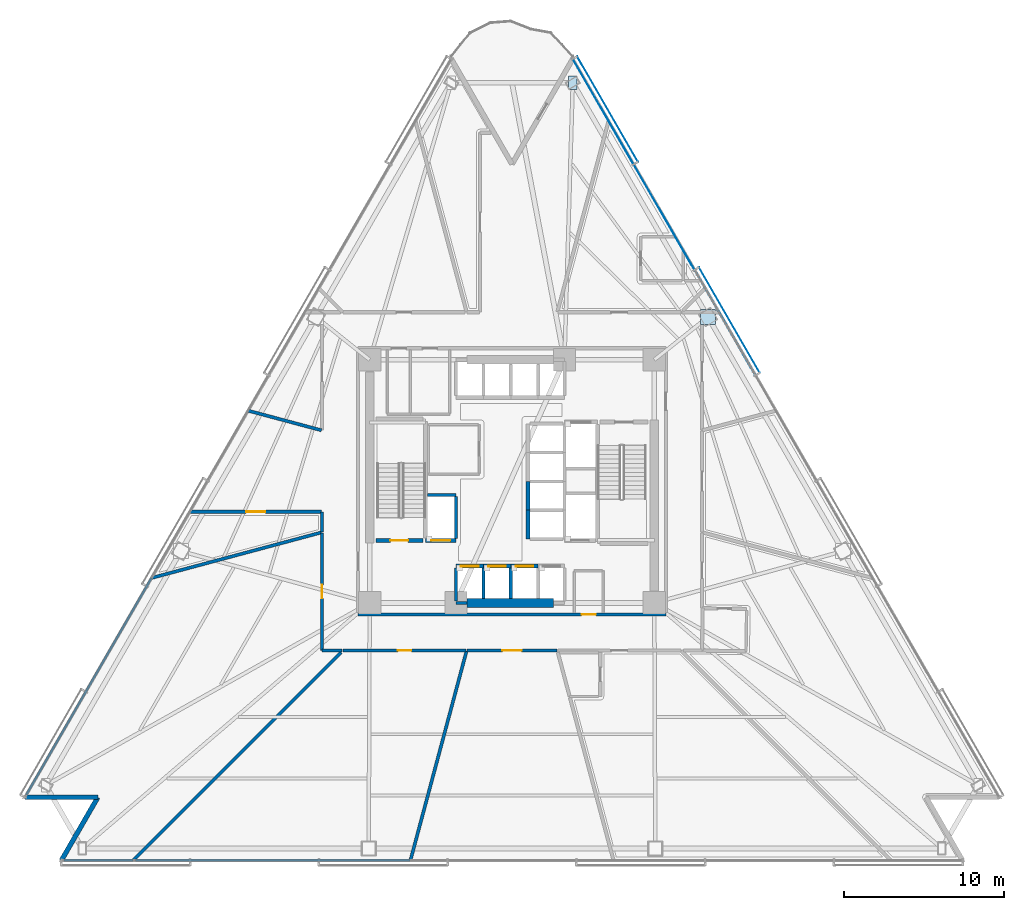
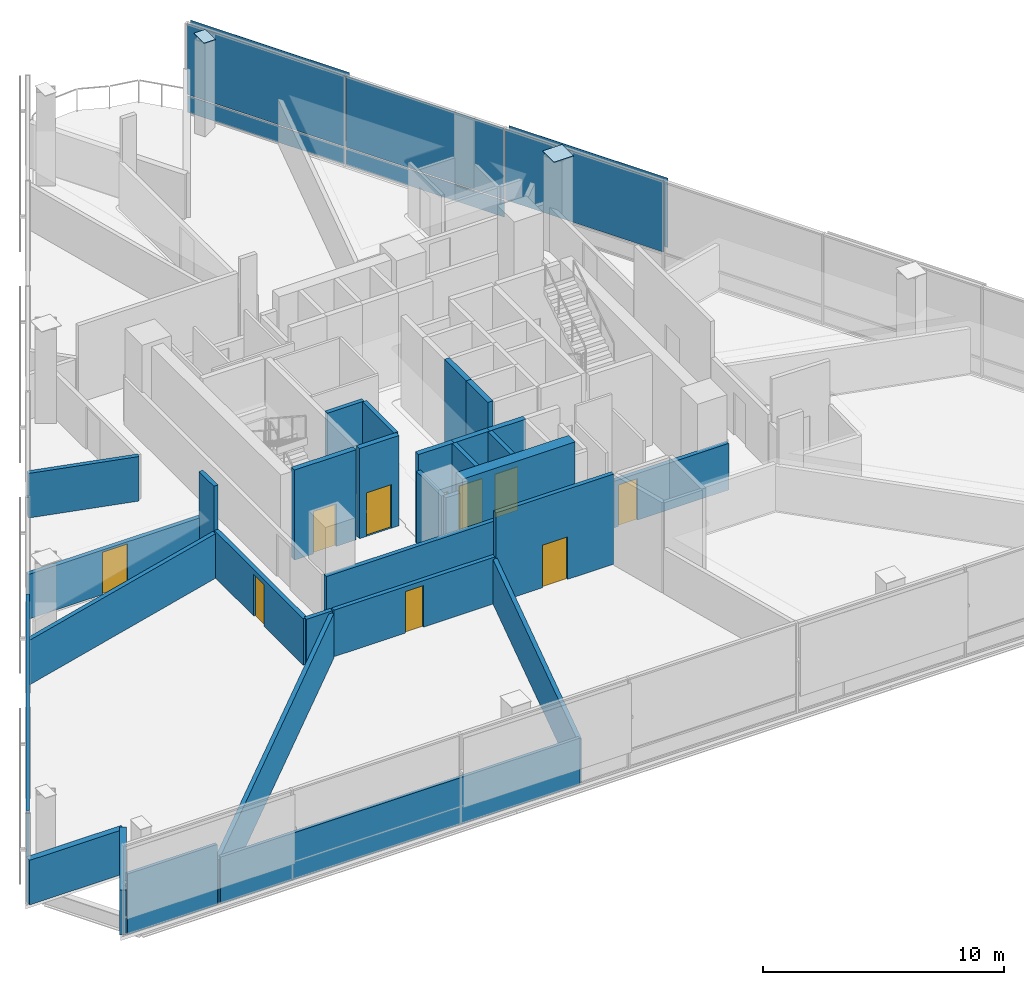
# One storey, part 7 of 17: 30 walls, 10 doors, 9 plates, 10 openings, 1 element without a shape of its own.
"""IFC4 building model written with IfcOpenShell, lengths in metres."""

import ifcopenshell
import ifcopenshell.guid

model = None  # the IFC model being written
_history = None  # IfcOwnerHistory: only IFC2X3 demands one
_inside = {}  # id of a spatial element -> (the spatial element, [elements in it])
_under = {}  # id of a project, library or spatial element -> (it, [spatial elements below it])
_declared = {}  # id of a project -> (the project, [libraries it declares])
_typed = {}  # id of a type object -> (the type object, [elements of that type])
_made_of = {}  # id of a material, layer set ... -> (it, [elements and type objects made of it])


def new_model(schema):
    """Start an empty IFC model of exactly this schema.

    Asked for "IFC4X3", IfcOpenShell would pick the latest addendum, in which some entities
    have other attributes; the version numbers below select the first issue.
    IFC2X3 requires an IfcOwnerHistory on every rooted entity: one is made here for all.
    """
    global model, _history
    if schema == "IFC4X3":
        model = ifcopenshell.file(schema_version=(4, 3, 0, 0))
    else:
        model = ifcopenshell.file(schema=schema)
    _inside.clear()
    _under.clear()
    _declared.clear()
    _typed.clear()
    _made_of.clear()
    _history = None
    if model.schema == "IFC2X3":
        org = make("IfcOrganization", Name="unknown")
        user = make(
            "IfcPersonAndOrganization",
            ThePerson=make("IfcPerson", FamilyName="unknown"),
            TheOrganization=org,
        )
        app = make(
            "IfcApplication",
            ApplicationDeveloper=org,
            Version="unknown",
            ApplicationFullName="unknown",
            ApplicationIdentifier="unknown",
        )
        _history = make(
            "IfcOwnerHistory",
            OwningUser=user,
            OwningApplication=app,
            ChangeAction="ADDED",
            CreationDate=0,
        )
    return model


def make(cls, **values):
    """One entity of the class cls with the attributes given. An attribute that is None is left unset."""
    return model.create_entity(
        cls, **{name: value for name, value in values.items() if value is not None}
    )


def rooted(cls, **values):
    """An entity with a GlobalId (a new one), such as an element, a storey or a relation."""
    return make(cls, GlobalId=ifcopenshell.guid.new(), OwnerHistory=_history, **values)


def si_unit(unit_type, name, prefix=None):
    """IfcSIUnit, for example si_unit("LENGTHUNIT", "METRE", prefix="MILLI")."""
    return make("IfcSIUnit", UnitType=unit_type, Prefix=prefix, Name=name)


def assignment(units):
    """IfcUnitAssignment: the units of a project."""
    return None if units is None else make("IfcUnitAssignment", Units=units)


def point(xyz):
    """IfcCartesianPoint."""
    return None if xyz is None else make("IfcCartesianPoint", Coordinates=xyz)


def direction(xyz):
    """IfcDirection."""
    return None if xyz is None else make("IfcDirection", DirectionRatios=xyz)


def frame(location, z_axis=None, x_axis=None):
    """IfcAxis2Placement3D, a coordinate frame: its origin and axes. An axis left out is left unset."""
    return make(
        "IfcAxis2Placement3D",
        Location=point(location),
        Axis=direction(z_axis),
        RefDirection=direction(x_axis),
    )


def frame_2d(location, x_axis=None):
    """IfcAxis2Placement2D, a coordinate frame in the plane: its origin and x axis."""
    return make(
        "IfcAxis2Placement2D", Location=point(location), RefDirection=direction(x_axis)
    )


def origin():
    """The frame at (0, 0, 0) with its axes left unset."""
    return frame((0.0, 0.0, 0.0))


def origin_2d():
    """The frame at (0, 0) in the plane with its x axis left unset."""
    return frame_2d((0.0, 0.0))


def place(relative_to, where):
    """IfcLocalPlacement: puts the frame where relative to a parent placement (None: the world)."""
    return make(
        "IfcLocalPlacement", PlacementRelTo=relative_to, RelativePlacement=where
    )


def context(
    kind, dimensions, precision=None, world=None, true_north=None, identifier=None
):
    """IfcGeometricRepresentationContext, for example the 3D "Model" context."""
    return make(
        "IfcGeometricRepresentationContext",
        ContextIdentifier=identifier,
        ContextType=kind,
        CoordinateSpaceDimension=dimensions,
        Precision=precision,
        WorldCoordinateSystem=world,
        TrueNorth=true_north,
    )


def subcontext(parent, identifier, kind, view, scale=None):
    """IfcGeometricRepresentationSubContext, for example "Body" below "Model"."""
    return make(
        "IfcGeometricRepresentationSubContext",
        ContextIdentifier=identifier,
        ContextType=kind,
        ParentContext=parent,
        TargetScale=scale,
        TargetView=view,
    )


def project(units=None, contexts=None):
    """IfcProject with its units and contexts."""
    return rooted(
        "IfcProject",
        Name="project",
        RepresentationContexts=contexts,
        UnitsInContext=assignment(units),
    )


def spatial(cls, under=None, at=None, **own):
    """A site, building, storey or space (cls), placed at a placement, below another one or the project."""
    s = rooted(cls, ObjectPlacement=at, **own)
    if under is not None:
        _under.setdefault(under.id(), (under, []))[1].append(s)
    return s


def profile(cls, at=None, kind="AREA", **sizes):
    """A parametric profile (cls). Its sizes go by their IFC names, for example OverallWidth=200.0."""
    return make(cls, ProfileType=kind, Position=at, **sizes)


def rectangle(**sizes):
    """IfcRectangleProfileDef."""
    return profile("IfcRectangleProfileDef", **sizes)


def extrude(swept, where, along, depth):
    """IfcExtrudedAreaSolid: the profile swept, set in the frame where, extruded along a direction by depth."""
    return make(
        "IfcExtrudedAreaSolid",
        SweptArea=swept,
        Position=where,
        ExtrudedDirection=direction(along),
        Depth=depth,
    )


def shape(context_of_items, identifier, shape_type, items):
    """IfcShapeRepresentation: the items that make up one representation, for example the "Body"."""
    return make(
        "IfcShapeRepresentation",
        ContextOfItems=context_of_items,
        RepresentationIdentifier=identifier,
        RepresentationType=shape_type,
        Items=items,
    )


def material(Name=None, Category=None):
    """IfcMaterial."""
    return make("IfcMaterial", Name=Name, Category=Category)


def layer(
    of_material, thickness, ventilated=None, Name=None, Category=None, Priority=None
):
    """IfcMaterialLayer: one layer of a wall or slab, of a material (None: an air gap)."""
    return make(
        "IfcMaterialLayer",
        Material=of_material,
        LayerThickness=thickness,
        IsVentilated=ventilated,
        Name=Name,
        Category=Category,
        Priority=Priority,
    )


def layer_set(layers, Name=None):
    """IfcMaterialLayerSet."""
    return make("IfcMaterialLayerSet", MaterialLayers=layers, LayerSetName=Name)


def made_of(thing, what):
    """Note that an element or type object is made of a material, layer set ...; save() writes the relation."""
    if what is not None:
        _made_of.setdefault(what.id(), (what, []))[1].append(thing)
    return thing


def type_object(cls, material=None, **own):
    """A type object (cls), such as IfcWallType, which elements share."""
    return made_of(rooted(cls, **own), material)


def element(
    cls,
    number,
    at=None,
    inside=None,
    cuts=None,
    type_object=None,
    material=None,
    context=None,
    identifier="Body",
    shape_type=None,
    held_by="IfcProductDefinitionShape",
    body=None,
    shapes=None,
    **own,
):
    """One element of the class cls, such as IfcWall. Its Tag is "e" and its number.

    at: its placement. inside: the storey or other place that contains it. cuts: it is an
    opening in that element (IfcRelVoidsElement). A single representation is given by context,
    identifier, shape_type and body (its items); several are given by shapes. held_by: the class
    of the entity that holds the representations. save() writes the other relations.
    """
    e = rooted(cls, Tag="e%d" % number, ObjectPlacement=at, **own)
    if body is not None:
        shapes = [shape(context, identifier, shape_type, body)]
    if shapes is not None:
        e.Representation = make(held_by, Representations=shapes)
    if inside is not None:
        _inside.setdefault(inside.id(), (inside, []))[1].append(e)
    if cuts is not None:
        rooted(
            "IfcRelVoidsElement", RelatingBuildingElement=cuts, RelatedOpeningElement=e
        )
    if type_object is not None:
        _typed.setdefault(type_object.id(), (type_object, []))[1].append(e)
    return made_of(e, material)


def fill(opening, filler):
    """IfcRelFillsElement: the door or window that sits in an opening."""
    return rooted(
        "IfcRelFillsElement",
        RelatingOpeningElement=opening,
        RelatedBuildingElement=filler,
    )


def aggregate(whole, parts):
    """IfcRelAggregates: a whole, such as a stair, and the parts it consists of."""
    return rooted("IfcRelAggregates", RelatingObject=whole, RelatedObjects=parts)


def save(model, path):
    """Write the relations noted so far, then the file.

    IfcRelAggregates (storeys below a building ...), IfcRelContainedInSpatialStructure (elements
    in a storey), IfcRelDefinesByType, IfcRelAssociatesMaterial and IfcRelDeclares: one each for
    every whole, place, type object, material and project.
    """
    for whole, parts in _under.values():
        aggregate(whole, parts)
    for where, things in _inside.values():
        rooted(
            "IfcRelContainedInSpatialStructure",
            RelatedElements=things,
            RelatingStructure=where,
        )
    for kind, things in _typed.values():
        rooted("IfcRelDefinesByType", RelatedObjects=things, RelatingType=kind)
    for what, things in _made_of.values():
        rooted("IfcRelAssociatesMaterial", RelatedObjects=things, RelatingMaterial=what)
    for by, libraries in _declared.values():
        rooted("IfcRelDeclares", RelatingContext=by, RelatedDefinitions=libraries)
    model.write(path)


model = new_model("IFC4")

# Units and contexts
model_context = context("Model", 3, precision=1e-05, world=origin(), true_north=direction((0.0, 1.0)))
body_context = subcontext(model_context, "Body", "Model", "MODEL_VIEW")
ifc_project = project(units=[si_unit("LENGTHUNIT", "METRE"), si_unit("AREAUNIT", "SQUARE_METRE"), si_unit("VOLUMEUNIT", "CUBIC_METRE"), si_unit("PLANEANGLEUNIT", "RADIAN"), si_unit("MASSUNIT", "GRAM", prefix="KILO")], contexts=[model_context])

# Site, building, storey
site_placement = place(None, origin())
site = spatial("IfcSite", under=ifc_project, at=site_placement, CompositionType="ELEMENT")
building_placement = place(site_placement, origin())
building = spatial("IfcBuilding", under=site, at=building_placement, Name="Tharavind Bronze Gate", CompositionType="ELEMENT")
storey_placement = place(building_placement, frame((0.0, 0.0, 52.25)))
storey = spatial("IfcBuildingStorey", under=building, at=storey_placement, Name="L12", CompositionType="ELEMENT", Elevation=52.25)

# Plates
ifc_material_1 = material(Name="Perforated Bronze Alloy", Category="bronze")
ifc_layer_1 = layer(ifc_material_1, 0.011962890625)
ifc_layer_set_1 = layer_set([ifc_layer_1], Name="Perforated Bronze Alloy")
plate_type_1 = type_object("IfcPlateType", Name="BRONZE PERFORATED SOLAR SCREEN", PredefinedType="USERDEFINED", material=ifc_layer_set_1)
for number, where, z_axis, x_axis, name in (
    (1, (13.5927734375, 10.086669921875, 0.97412109375), (0.0, 0.0, 1.0), (-0.500001511499, 0.866024531118, 0.0), "CW-L12-S3 perforated bronze solar screen 5"),
    (2, (5.976806640625, 23.27783203125, 0.97412109375), (0.0, 0.0, 1.0), (-0.500001511499, 0.866024531118, 0.0), "CW-L12-S3 perforated bronze solar screen 7"),
):
    element("IfcPlate", number, at=place(storey_placement, frame(where, z_axis=z_axis, x_axis=x_axis)), inside=storey, type_object=plate_type_1, Name=name, ObjectType="SCREEN", PredefinedType="USERDEFINED", context=body_context, shape_type="SweptSolid", body=[
        extrude(rectangle(XDim=7.595947265625, YDim=0.011962890625, at=origin_2d()), origin(), (0.0, 0.0, 1.0), 3.511962890625),
    ])

# Curtain wall, plates
ifc_material_2 = material(Name="Anodised Bronze Aluminium", Category="aluminium")
ifc_layer_2 = layer(ifc_material_2, 0.219970703125)
ifc_layer_set_2 = layer_set([ifc_layer_2], Name="Anodised Bronze Aluminium")
curtain_wall_type = type_object("IfcCurtainWallType", Name="UNITISED CURTAIN WALL HOTEL", PredefinedType="USERDEFINED", material=ifc_layer_set_2)
curtain_wall_placement = place(storey_placement, origin())
curtain_wall = element("IfcCurtainWall", 3, at=curtain_wall_placement, inside=storey, type_object=curtain_wall_type, Name="L12 unitised curtain wall hotel CW-L12-S3", ObjectType="UNITISED CURTAIN WALL", PredefinedType="USERDEFINED")
ifc_material_3 = material(Name="Patinated Bronze Alloy Sheet", Category="bronze")
ifc_layer_3 = layer(ifc_material_3, 0.01611328125)
ifc_layer_set_3 = layer_set([ifc_layer_3], Name="Patinated Bronze Alloy Sheet")
plate_type_2 = type_object("IfcPlateType", Name="BRONZE SPANDREL CLADDING PANEL 16", PredefinedType="CURTAIN_PANEL", material=ifc_layer_set_3)
plate_1_placement = place(storey_placement, frame((9.511962890625, 16.52490234375, 0.033935546875), z_axis=(0.0, 0.0, 1.0), x_axis=(-0.500001511499, 0.866024531118, 0.0)))
plate_1 = element("IfcPlate", 4, at=plate_1_placement, type_object=plate_type_2, Name="CW-L12-S3 bronze spandrel panel 6", PredefinedType="CURTAIN_PANEL", context=body_context, shape_type="SweptSolid", body=[
    extrude(rectangle(XDim=7.5478515625, YDim=0.01611328125, at=origin_2d()), origin(), (0.0, 0.0, 1.0), 0.83203125),
])
plate_2_placement = place(storey_placement, frame((5.7041015625, 23.120361328125, 0.033935546875), z_axis=(0.0, 0.0, 1.0), x_axis=(-0.500001511499, 0.866024531118, 0.0)))
plate_2 = element("IfcPlate", 5, at=plate_2_placement, type_object=plate_type_2, Name="CW-L12-S3 bronze spandrel panel 7", PredefinedType="CURTAIN_PANEL", context=body_context, shape_type="SweptSolid", body=[
    extrude(rectangle(XDim=7.5478515625, YDim=0.01611328125, at=origin_2d()), origin(), (0.0, 0.0, 1.0), 0.83203125),
])
ifc_material_4 = material(Name="Low-E Double Glazing", Category="glass")
ifc_layer_4 = layer(ifc_material_4, 0.031982421875)
ifc_layer_set_4 = layer_set([ifc_layer_4], Name="Low-E Double Glazing")
plate_type_3 = type_object("IfcPlateType", Name="DOUBLE GLAZED FACADE PANEL 32", PredefinedType="CURTAIN_PANEL", material=ifc_layer_set_4)
plate_3_placement = place(storey_placement, frame((13.31982421875, 9.92919921875, 0.93408203125), z_axis=(0.0, 0.0, 1.0), x_axis=(-0.500001511499, 0.866024531118, 0.0)))
plate_3 = element("IfcPlate", 6, at=plate_3_placement, type_object=plate_type_3, Name="CW-L12-S3 vision glazing panel 5", PredefinedType="CURTAIN_PANEL", context=body_context, shape_type="SweptSolid", body=[
    extrude(rectangle(XDim=7.5478515625, YDim=0.031982421875, at=origin_2d()), origin(), (0.0, 0.0, 1.0), 3.592041015625),
])
plate_4_placement = place(storey_placement, frame((9.511962890625, 16.52490234375, 0.93408203125), z_axis=(0.0, 0.0, 1.0), x_axis=(-0.500001511499, 0.866024531118, 0.0)))
plate_4 = element("IfcPlate", 7, at=plate_4_placement, type_object=plate_type_3, Name="CW-L12-S3 vision glazing panel 6", PredefinedType="CURTAIN_PANEL", context=body_context, shape_type="SweptSolid", body=[
    extrude(rectangle(XDim=7.5478515625, YDim=0.031982421875, at=origin_2d()), origin(), (0.0, 0.0, 1.0), 3.592041015625),
])
plate_5_placement = place(storey_placement, frame((5.7041015625, 23.120361328125, 0.93408203125), z_axis=(0.0, 0.0, 1.0), x_axis=(-0.500001511499, 0.866024531118, 0.0)))
plate_5 = element("IfcPlate", 8, at=plate_5_placement, type_object=plate_type_3, Name="CW-L12-S3 vision glazing panel 7", PredefinedType="CURTAIN_PANEL", context=body_context, shape_type="SweptSolid", body=[
    extrude(rectangle(XDim=7.5478515625, YDim=0.031982421875, at=origin_2d()), origin(), (0.0, 0.0, 1.0), 3.592041015625),
])
aggregate(curtain_wall, [plate_3, plate_1, plate_4, plate_2, plate_5])

# Plates
ifc_material_5 = material(Name="Steel S460", Category="steel")
ifc_layer_5 = layer(ifc_material_5, 0.02490234375)
ifc_layer_set_5 = layer_set([ifc_layer_5], Name="Steel S460")
plate_type_4 = type_object("IfcPlateType", Name="STEEL END CAP SHEET 25", PredefinedType="SHEET", material=ifc_layer_set_5)
plate_6_placement = place(storey_placement, frame((12.252197265625, 10.278564453125, 4.737548828125), z_axis=(0.0, 0.0, 1.0), x_axis=(1.0, 0.0, 0.0)))
element("IfcPlate", 9, at=plate_6_placement, inside=storey, type_object=plate_type_4, Name="Steel end cap plate CAP-COLT-L12-S3C3", PredefinedType="SHEET", context=body_context, shape_type="SweptSolid", body=[
    extrude(rectangle(XDim=0.945068359375, YDim=0.945068359375, at=origin_2d()), origin(), (0.0, 0.0, 1.0), 0.02490234375),
])
plate_7_placement = place(storey_placement, frame((3.800048828125, 24.918212890625, 4.737548828125), z_axis=(0.0, 0.0, 1.0), x_axis=(1.0, 0.0, 0.0)))
element("IfcPlate", 10, at=plate_7_placement, inside=storey, type_object=plate_type_4, Name="Steel end cap plate CAP-COLT-L12-S3C4", PredefinedType="SHEET", context=body_context, shape_type="SweptSolid", body=[
    extrude(rectangle(XDim=0.544921875, YDim=0.844970703125, at=origin_2d()), origin(), (0.0, 0.0, 1.0), 0.02490234375),
])

# Walls
ifc_material_6 = material(Name="Concrete C40/50", Category="concrete")
ifc_layer_6 = layer(ifc_material_6, 0.300048828125)
ifc_layer_set_6 = layer_set([ifc_layer_6], Name="Concrete C40/50")
wall_type_1 = type_object("IfcWallType", Name="EXTERIOR SPANDREL WALL 300", PredefinedType="STANDARD", material=ifc_layer_set_6)
wall_1_placement = place(storey_placement, frame((-30.455810546875, -19.7509765625, 0.0), z_axis=(0.0, 0.0, 1.0), x_axis=(1.0, 0.0, 0.0)))
element("IfcWall", 11, at=wall_1_placement, inside=storey, type_object=wall_type_1, Name="L12 notch cheek wall 2A", PredefinedType="STANDARD", context=body_context, shape_type="SweptSolid", body=[
    extrude(rectangle(XDim=4.56005859375, YDim=0.300048828125, at=frame_2d((2.280029296875, 0.0))), origin(), (0.0, 0.0, 1.0), 2.2548828125),
])
wall_2_placement = place(storey_placement, frame((-25.895751953125, -19.7509765625, 0.0), z_axis=(0.0, 0.0, 1.0), x_axis=(-0.500014431597, -0.866017071537, 0.0)))
element("IfcWall", 12, at=wall_2_placement, inside=storey, type_object=wall_type_1, Name="L12 notch cheek wall 2B", PredefinedType="STANDARD", context=body_context, shape_type="SweptSolid", body=[
    extrude(rectangle(XDim=4.559814453125, YDim=0.300048828125, at=frame_2d((2.27978515625, 0.0))), origin(), (0.0, 0.0, 1.0), 2.2548828125),
])

# Wall, opening, door
ifc_material_7 = material(Name="Aerated Concrete Block", Category="concrete")
ifc_layer_7 = layer(ifc_material_7, 0.199951171875)
ifc_layer_set_7 = layer_set([ifc_layer_7], Name="Aerated Concrete Block")
wall_type_2 = type_object("IfcWallType", Name="FIRE RATED PARTITION 200", PredefinedType="PARTITIONING", material=ifc_layer_set_7)
wall_3_placement = place(storey_placement, frame((-9.6201171875, -8.320068359375, 0.0), z_axis=(0.0, 0.0, 1.0), x_axis=(1.0, 0.0, 0.0)))
wall_3 = element("IfcWall", 13, at=wall_3_placement, inside=storey, type_object=wall_type_2, Name="L12 south core corridor wall", PredefinedType="PARTITIONING", context=body_context, shape_type="SweptSolid", body=[
    extrude(rectangle(XDim=19.240234375, YDim=0.199951171875, at=frame_2d((9.6201171875, 0.0))), origin(), (0.0, 0.0, 1.0), 2.35498046875),
])
opening_1_placement = place(wall_3_placement, frame((13.969970703125, 0.0, 0.0)))
opening_1 = element("IfcOpeningElement", 14, at=opening_1_placement, cuts=wall_3, Name="Opening ID07", PredefinedType="OPENING", context=body_context, shape_type="SweptSolid", body=[
    extrude(rectangle(XDim=0.89990234375, YDim=2.10009765625, at=frame_2d((0.449951171875, 1.050048828125))), frame((0.0, 0.11009765625, 0.0), z_axis=(0.0, -1.0, 0.0), x_axis=(1.0, 0.0, 0.0)), (0.0, 0.0, 1.0), 0.219951171875),
])
ifc_material_8 = material(Name="Galvanised Fire Steel", Category="steel")
door_type_1 = type_object("IfcDoorType", Name="PLANT AND RISER FIRE DOOR 900X2100", OperationType="SINGLE_SWING_LEFT", PredefinedType="DOOR", material=ifc_material_8)
door_1_placement = place(opening_1_placement, frame((0.89990234375, 0.0, 0.0), z_axis=(0.0, 0.0, 1.0), x_axis=(-1.0, 0.0, 0.0)))
door_1 = element("IfcDoor", 15, at=door_1_placement, inside=storey, type_object=door_type_1, Name="L12 Janitor Store Cupboard fire door", OperationType="SINGLE_SWING_LEFT", OverallHeight=2.10009765625, OverallWidth=0.89990234375, PredefinedType="DOOR", context=body_context, shape_type="SweptSolid", body=[
    extrude(rectangle(XDim=0.89990234375, YDim=2.10009765625, at=frame_2d((0.449951171875, 1.050048828125))), frame((0.0, 0.02490234375, 0.0), z_axis=(0.0, -1.0, 0.0), x_axis=(1.0, 0.0, 0.0)), (0.0, 0.0, 1.0), 0.050048828125),
])
fill(opening_1, door_1)

# Wall
wall_4_placement = place(storey_placement, frame((-22.529541015625, -6.036865234375, 0.0), z_axis=(0.0, 0.0, 1.0), x_axis=(0.965922374415, 0.258831927328, 0.0)))
element("IfcWall", 16, at=wall_4_placement, inside=storey, type_object=wall_type_2, Name="L12 Public Restrooms Block partition", PredefinedType="PARTITIONING", context=body_context, shape_type="SweptSolid", body=[
    extrude(rectangle(XDim=10.992431640625, YDim=0.199951171875, at=frame_2d((5.49609375, 0.0))), origin(), (0.0, 0.0, 1.0), 2.2548828125),
])

# Wall, opening, door
wall_5_placement = place(storey_placement, frame((-11.8798828125, -3.2158203125, 0.0), z_axis=(0.0, 0.0, 1.0), x_axis=(0.0, -1.0, 0.0)))
wall_5 = element("IfcWall", 17, at=wall_5_placement, inside=storey, type_object=wall_type_2, Name="L12 Public Restrooms Block partition", PredefinedType="PARTITIONING", context=body_context, shape_type="SweptSolid", body=[
    extrude(rectangle(XDim=7.363525390625, YDim=0.199951171875, at=frame_2d((3.681640625, 0.0))), origin(), (0.0, 0.0, 1.0), 2.35498046875),
])
opening_2_placement = place(wall_5_placement, frame((3.257080078125, 0.0, 0.0)))
opening_2 = element("IfcOpeningElement", 18, at=opening_2_placement, cuts=wall_5, Name="Opening ID06", PredefinedType="OPENING", context=body_context, shape_type="SweptSolid", body=[
    extrude(rectangle(XDim=0.85009765625, YDim=2.10009765625, at=frame_2d((0.425048828125, 1.050048828125))), frame((0.0, 0.11009765625, 0.0), z_axis=(0.0, -1.0, 0.0), x_axis=(1.0, 0.0, 0.0)), (0.0, 0.0, 1.0), 0.219951171875),
])
ifc_material_9 = material(Name="Moisture-Resistant Timber", Category="wood")
door_type_2 = type_object("IfcDoorType", Name="BATHROOM PRIVACY DOOR 850X2100", OperationType="SINGLE_SWING_RIGHT", PredefinedType="DOOR", material=ifc_material_9)
door_2_placement = place(opening_2_placement, origin())
door_2 = element("IfcDoor", 19, at=door_2_placement, inside=storey, type_object=door_type_2, Name="L12 Public Restrooms Block door", OperationType="SINGLE_SWING_RIGHT", OverallHeight=2.10009765625, OverallWidth=0.85009765625, PredefinedType="DOOR", context=body_context, shape_type="SweptSolid", body=[
    extrude(rectangle(XDim=0.85009765625, YDim=2.10009765625, at=frame_2d((0.425048828125, 1.050048828125))), frame((0.0, 0.02490234375, 0.0), z_axis=(0.0, -1.0, 0.0), x_axis=(1.0, 0.0, 0.0)), (0.0, 0.0, 1.0), 0.050048828125),
])
fill(opening_2, door_2)

# Walls
wall_6_placement = place(storey_placement, frame((-11.87939453125, -10.580078125, 0.0), z_axis=(0.0, 0.0, 1.0), x_axis=(1.0, 0.0, 0.0)))
element("IfcWall", 20, at=wall_6_placement, inside=storey, type_object=wall_type_2, Name="L12 Public Restrooms Block partition", PredefinedType="PARTITIONING", context=body_context, shape_type="SweptSolid", body=[
    extrude(rectangle(XDim=1.239013671875, YDim=0.199951171875, at=frame_2d((0.61962890625, 0.0))), origin(), (0.0, 0.0, 1.0), 2.35498046875),
])
wall_7_placement = place(storey_placement, frame((-10.68505859375, -10.68505859375, 0.0), z_axis=(0.0, 0.0, 1.0), x_axis=(-0.707106781187, -0.707106781187, 0.0)))
element("IfcWall", 21, at=wall_7_placement, inside=storey, type_object=wall_type_2, Name="L12 Public Restrooms Block partition", PredefinedType="PARTITIONING", context=body_context, shape_type="SweptSolid", body=[
    extrude(rectangle(XDim=18.3955078125, YDim=0.199951171875, at=frame_2d((9.19775390625, 0.0))), origin(), (0.0, 0.0, 1.0), 2.2548828125),
])

# Wall, opening, door
wall_8_placement = place(storey_placement, frame((-10.569580078125, -10.580078125, 0.0), z_axis=(0.0, 0.0, 1.0), x_axis=(1.0, 0.0, 0.0)))
wall_8 = element("IfcWall", 22, at=wall_8_placement, inside=storey, type_object=wall_type_2, Name="L12 Public Restrooms Block partition", PredefinedType="PARTITIONING", context=body_context, shape_type="SweptSolid", body=[
    extrude(rectangle(XDim=7.7021484375, YDim=0.199951171875, at=frame_2d((3.85107421875, 0.0))), origin(), (0.0, 0.0, 1.0), 2.35498046875),
])
opening_3_placement = place(wall_8_placement, frame((3.426025390625, 0.0, 0.0)))
opening_3 = element("IfcOpeningElement", 23, at=opening_3_placement, cuts=wall_8, Name="Opening ID06", PredefinedType="OPENING", context=body_context, shape_type="SweptSolid", body=[
    extrude(rectangle(XDim=0.85009765625, YDim=2.10009765625, at=frame_2d((0.425048828125, 1.050048828125))), frame((0.0, 0.11009765625, 0.0), z_axis=(0.0, -1.0, 0.0), x_axis=(1.0, 0.0, 0.0)), (0.0, 0.0, 1.0), 0.219951171875),
])
door_3_placement = place(opening_3_placement, origin())
door_3 = element("IfcDoor", 24, at=door_3_placement, inside=storey, type_object=door_type_2, Name="L12 Public Restrooms Block door", OperationType="SINGLE_SWING_RIGHT", OverallHeight=2.10009765625, OverallWidth=0.85009765625, PredefinedType="DOOR", context=body_context, shape_type="SweptSolid", body=[
    extrude(rectangle(XDim=0.85009765625, YDim=2.10009765625, at=frame_2d((0.425048828125, 1.050048828125))), frame((0.0, 0.02490234375, 0.0), z_axis=(0.0, -1.0, 0.0), x_axis=(1.0, 0.0, 0.0)), (0.0, 0.0, 1.0), 0.050048828125),
])
fill(opening_3, door_3)

# Walls
wall_9_placement = place(storey_placement, frame((-2.84326171875, -10.611572265625, 0.0), z_axis=(0.0, 0.0, 1.0), x_axis=(-0.25882927933, -0.965923083978, 0.0)))
element("IfcWall", 25, at=wall_9_placement, inside=storey, type_object=wall_type_2, Name="L12 Public Restrooms Block partition", PredefinedType="PARTITIONING", context=body_context, shape_type="SweptSolid", body=[
    extrude(rectangle(XDim=13.531005859375, YDim=0.199951171875, at=frame_2d((6.765625, 0.0))), origin(), (0.0, 0.0, 1.0), 2.2548828125),
])
wall_10_placement = place(storey_placement, frame((-11.91162109375, 3.191650390625, 0.0), z_axis=(0.0, 0.0, 1.0), x_axis=(-0.965923733473, 0.258826855473, 0.0)))
element("IfcWall", 26, at=wall_10_placement, inside=storey, type_object=wall_type_2, Name="L12 Hotel Guest Lounge partition", PredefinedType="PARTITIONING", context=body_context, shape_type="SweptSolid", body=[
    extrude(rectangle(XDim=4.750244140625, YDim=0.199951171875, at=frame_2d((2.375, 0.0))), origin(), (0.0, 0.0, 1.0), 2.2548828125),
])

# Wall, opening, door
wall_11_placement = place(storey_placement, frame((-20.149658203125, -1.89990234375, 0.0), z_axis=(0.0, 0.0, 1.0), x_axis=(1.0, 0.0, 0.0)))
wall_11 = element("IfcWall", 27, at=wall_11_placement, inside=storey, type_object=wall_type_2, Name="L12 Hotel Dining Bistro partition", PredefinedType="PARTITIONING", context=body_context, shape_type="SweptSolid", body=[
    extrude(rectangle(XDim=8.24462890625, YDim=0.199951171875, at=frame_2d((4.122314453125, 0.0))), origin(), (0.0, 0.0, 1.0), 2.2548828125),
])
opening_4_placement = place(wall_11_placement, frame((3.52197265625, 0.0, 0.0)))
opening_4 = element("IfcOpeningElement", 28, at=opening_4_placement, cuts=wall_11, Name="Opening ID05", PredefinedType="OPENING", context=body_context, shape_type="SweptSolid", body=[
    extrude(rectangle(XDim=1.199951171875, YDim=2.14990234375, at=frame_2d((0.60009765625, 1.074951171875))), frame((0.0, 0.11009765625, 0.0), z_axis=(0.0, -1.0, 0.0), x_axis=(1.0, 0.0, 0.0)), (0.0, 0.0, 1.0), 0.219951171875),
])
ifc_material_10 = material(Name="Acoustic Laminated Glass", Category="glass")
door_type_3 = type_object("IfcDoorType", Name="MEETING ROOM GLAZED DOOR 1200X2150", OperationType="SINGLE_SWING_LEFT", PredefinedType="DOOR", material=ifc_material_10)
door_4_placement = place(opening_4_placement, origin())
door_4 = element("IfcDoor", 29, at=door_4_placement, inside=storey, type_object=door_type_3, Name="L12 Hotel Dining Bistro door", OperationType="SINGLE_SWING_LEFT", OverallHeight=2.14990234375, OverallWidth=1.199951171875, PredefinedType="DOOR", context=body_context, shape_type="SweptSolid", body=[
    extrude(rectangle(XDim=1.199951171875, YDim=2.14990234375, at=frame_2d((0.60009765625, 1.074951171875))), frame((0.0, 0.02490234375, 0.0), z_axis=(0.0, -1.0, 0.0), x_axis=(1.0, 0.0, 0.0)), (0.0, 0.0, 1.0), 0.050048828125),
])
fill(opening_4, door_4)

# Wall
wall_12_placement = place(storey_placement, frame((-11.8798828125, -1.925048828125, 0.0), z_axis=(0.0, 0.0, 1.0), x_axis=(0.0, -1.0, 0.0)))
element("IfcWall", 30, at=wall_12_placement, inside=storey, type_object=wall_type_2, Name="L12 Hotel Dining Bistro partition", PredefinedType="PARTITIONING", context=body_context, shape_type="SweptSolid", body=[
    extrude(rectangle(XDim=1.239013671875, YDim=0.199951171875, at=frame_2d((0.61962890625, 0.0))), origin(), (0.0, 0.0, 1.0), 4.56005859375),
])

# Wall, opening, door
wall_13_placement = place(storey_placement, frame((-2.815673828125, -10.580078125, 0.0), z_axis=(0.0, 0.0, 1.0), x_axis=(1.0, 0.0, 0.0)))
wall_13 = element("IfcWall", 31, at=wall_13_placement, inside=storey, type_object=wall_type_2, Name="L12 Hotel Guest Lounge partition", PredefinedType="PARTITIONING", context=body_context, shape_type="SweptSolid", body=[
    extrude(rectangle(XDim=5.63134765625, YDim=0.199951171875, at=frame_2d((2.815673828125, 0.0))), origin(), (0.0, 0.0, 1.0), 4.56005859375),
])
opening_5_placement = place(wall_13_placement, frame((2.216064453125, 0.0, 0.0)))
opening_5 = element("IfcOpeningElement", 32, at=opening_5_placement, cuts=wall_13, Name="Opening ID05", PredefinedType="OPENING", context=body_context, shape_type="SweptSolid", body=[
    extrude(rectangle(XDim=1.199951171875, YDim=2.14990234375, at=frame_2d((0.60009765625, 1.074951171875))), frame((0.0, 0.11009765625, 0.0), z_axis=(0.0, -1.0, 0.0), x_axis=(1.0, 0.0, 0.0)), (0.0, 0.0, 1.0), 0.219951171875),
])
door_5_placement = place(opening_5_placement, origin())
door_5 = element("IfcDoor", 33, at=door_5_placement, inside=storey, type_object=door_type_3, Name="L12 Hotel Guest Lounge door", OperationType="SINGLE_SWING_LEFT", OverallHeight=2.14990234375, OverallWidth=1.199951171875, PredefinedType="DOOR", context=body_context, shape_type="SweptSolid", body=[
    extrude(rectangle(XDim=1.199951171875, YDim=2.14990234375, at=frame_2d((0.60009765625, 1.074951171875))), frame((0.0, 0.02490234375, 0.0), z_axis=(0.0, -1.0, 0.0), x_axis=(1.0, 0.0, 0.0)), (0.0, 0.0, 1.0), 0.050048828125),
])
fill(opening_5, door_5)

# Walls
ifc_material_11 = material(Name="Twin Stud Acoustic Gypsum", Category="gypsum")
ifc_layer_8 = layer(ifc_material_11, 0.14990234375)
ifc_layer_set_8 = layer_set([ifc_layer_8], Name="Twin Stud Acoustic Gypsum")
wall_type_3 = type_object("IfcWallType", Name="INTERIOR PARTITION WALL 150", PredefinedType="PARTITIONING", material=ifc_layer_set_8)
wall_14_placement = place(storey_placement, frame((-30.3662109375, -19.595947265625, 0.0), z_axis=(0.0, 0.0, 1.0), x_axis=(0.499991293932, 0.866030430177, 0.0)))
element("IfcWall", 34, at=wall_14_placement, inside=storey, type_object=wall_type_3, Name="L12 Public Restrooms Block partition", PredefinedType="PARTITIONING", context=body_context, shape_type="SweptSolid", body=[
    extrude(rectangle(XDim=15.643310546875, YDim=0.14990234375, at=frame_2d((7.82177734375, 0.0))), origin(), (0.0, 0.0, 1.0), 4.56005859375),
])
wall_15_placement = place(storey_placement, frame((-23.71044921875, -23.699951171875, 0.0), z_axis=(0.0, 0.0, 1.0), x_axis=(-1.0, 0.0, 0.0)))
element("IfcWall", 35, at=wall_15_placement, inside=storey, type_object=wall_type_3, Name="L12 Public Restrooms Block partition", PredefinedType="PARTITIONING", context=body_context, shape_type="SweptSolid", body=[
    extrude(rectangle(XDim=4.286376953125, YDim=0.14990234375, at=frame_2d((2.14306640625, 0.0))), origin(), (0.0, 0.0, 1.0), 3.054931640625),
])
wall_16_placement = place(storey_placement, frame((-6.36962890625, -23.699951171875, 0.0), z_axis=(0.0, 0.0, 1.0), x_axis=(-1.0, 0.0, 0.0)))
element("IfcWall", 36, at=wall_16_placement, inside=storey, type_object=wall_type_3, Name="L12 Public Restrooms Block partition", PredefinedType="PARTITIONING", context=body_context, shape_type="SweptSolid", body=[
    extrude(rectangle(XDim=17.181884765625, YDim=0.14990234375, at=frame_2d((8.5908203125, 0.0))), origin(), (0.0, 0.0, 1.0), 2.35498046875),
])

# Wall, opening, door
ifc_material_12 = material(Name="Concrete C50/60", Category="concrete")
ifc_layer_9 = layer(ifc_material_12, 0.25)
ifc_layer_set_9 = layer_set([ifc_layer_9], Name="Concrete C50/60")
wall_type_4 = type_object("IfcWallType", Name="RC CORE SHEAR WALL 250", PredefinedType="SHEAR", material=ifc_layer_set_9)
wall_17_placement = place(storey_placement, frame((-8.5, -3.699951171875, 0.0), z_axis=(0.0, 0.0, 1.0), x_axis=(1.0, 0.0, 0.0)))
wall_17 = element("IfcWall", 37, at=wall_17_placement, inside=storey, type_object=wall_type_4, Name="L12 ST1 shaft south wall", PredefinedType="SHEAR", context=body_context, shape_type="SweptSolid", body=[
    extrude(rectangle(XDim=2.949951171875, YDim=0.25, at=frame_2d((1.47509765625, 0.0))), origin(), (0.0, 0.0, 1.0), 4.56005859375),
])
opening_6_placement = place(wall_17_placement, frame((0.89990234375, 0.0, 0.0)))
opening_6 = element("IfcOpeningElement", 38, at=opening_6_placement, cuts=wall_17, Name="Opening ID01", PredefinedType="OPENING", context=body_context, shape_type="SweptSolid", body=[
    extrude(rectangle(XDim=1.10009765625, YDim=2.14990234375, at=frame_2d((0.550048828125, 1.074951171875))), frame((0.0, 0.135, 0.0), z_axis=(0.0, -1.0, 0.0), x_axis=(1.0, 0.0, 0.0)), (0.0, 0.0, 1.0), 0.27),
])
ifc_material_13 = material(Name="Fire-Rated Steel", Category="steel")
door_type_4 = type_object("IfcDoorType", Name="STAIR CORE FIRE DOOR 1100X2150", OperationType="SINGLE_SWING_LEFT", PredefinedType="DOOR", material=ifc_material_13)
door_6_placement = place(opening_6_placement, origin())
door_6 = element("IfcDoor", 39, at=door_6_placement, inside=storey, type_object=door_type_4, Name="L12 exit stair ST1 fire door", OperationType="SINGLE_SWING_LEFT", OverallHeight=2.14990234375, OverallWidth=1.10009765625, PredefinedType="DOOR", context=body_context, shape_type="SweptSolid", body=[
    extrude(rectangle(XDim=1.10009765625, YDim=2.14990234375, at=frame_2d((0.550048828125, 1.074951171875))), frame((0.0, 0.02490234375, 0.0), z_axis=(0.0, -1.0, 0.0), x_axis=(1.0, 0.0, 0.0)), (0.0, 0.0, 1.0), 0.050048828125),
])
fill(opening_6, door_6)

wall_18_placement = place(storey_placement, frame((-3.5, -5.300048828125, 0.0), z_axis=(0.0, 0.0, 1.0), x_axis=(1.0, 0.0, 0.0)))
wall_18 = element("IfcWall", 40, at=wall_18_placement, inside=storey, type_object=wall_type_4, Name="L12 lift PL1 shaft front wall", PredefinedType="SHEAR", context=body_context, shape_type="SweptSolid", body=[
    extrude(rectangle(XDim=1.71240234375, YDim=0.25, at=frame_2d((0.856201171875, 0.0))), origin(), (0.0, 0.0, 1.0), 4.56005859375),
])
opening_7_placement = place(wall_18_placement, frame((0.305908203125, 0.0, 0.0)))
opening_7 = element("IfcOpeningElement", 41, at=opening_7_placement, cuts=wall_18, Name="Opening LD01", PredefinedType="OPENING", context=body_context, shape_type="SweptSolid", body=[
    extrude(rectangle(XDim=1.10009765625, YDim=2.199951171875, at=frame_2d((0.550048828125, 1.10009765625))), frame((0.0, 0.135, 0.0), z_axis=(0.0, -1.0, 0.0), x_axis=(1.0, 0.0, 0.0)), (0.0, 0.0, 1.0), 0.27),
])
ifc_material_14 = material(Name="Brushed Bronze Stainless Steel", Category="steel")
door_type_5 = type_object("IfcDoorType", Name="LIFT LANDING SLIDING DOOR 1100X2200", OperationType="SLIDING_TO_LEFT", PredefinedType="DOOR", material=ifc_material_14)
door_7_placement = place(opening_7_placement, origin())
door_7 = element("IfcDoor", 42, at=door_7_placement, inside=storey, type_object=door_type_5, Name="L12 lift PL1 sliding landing door", OperationType="SLIDING_TO_LEFT", OverallHeight=2.199951171875, OverallWidth=1.10009765625, PredefinedType="DOOR", context=body_context, shape_type="SweptSolid", body=[
    extrude(rectangle(XDim=1.10009765625, YDim=2.199951171875, at=frame_2d((0.550048828125, 1.10009765625))), frame((0.0, 0.02490234375, 0.0), z_axis=(0.0, -1.0, 0.0), x_axis=(1.0, 0.0, 0.0)), (0.0, 0.0, 1.0), 0.050048828125),
])
fill(opening_7, door_7)

wall_19_placement = place(storey_placement, frame((-1.78759765625, -5.300048828125, 0.0), z_axis=(0.0, 0.0, 1.0), x_axis=(1.0, 0.0, 0.0)))
wall_19 = element("IfcWall", 43, at=wall_19_placement, inside=storey, type_object=wall_type_4, Name="L12 lift PL2 shaft front wall", PredefinedType="SHEAR", context=body_context, shape_type="SweptSolid", body=[
    extrude(rectangle(XDim=1.712646484375, YDim=0.25, at=frame_2d((0.8564453125, 0.0))), origin(), (0.0, 0.0, 1.0), 4.56005859375),
])
opening_8_placement = place(wall_19_placement, frame((0.305908203125, 0.0, 0.0)))
opening_8 = element("IfcOpeningElement", 44, at=opening_8_placement, cuts=wall_19, Name="Opening LD01", PredefinedType="OPENING", context=body_context, shape_type="SweptSolid", body=[
    extrude(rectangle(XDim=1.10009765625, YDim=2.199951171875, at=frame_2d((0.550048828125, 1.10009765625))), frame((0.0, 0.135, 0.0), z_axis=(0.0, -1.0, 0.0), x_axis=(1.0, 0.0, 0.0)), (0.0, 0.0, 1.0), 0.27),
])
door_8_placement = place(opening_8_placement, origin())
door_8 = element("IfcDoor", 45, at=door_8_placement, inside=storey, type_object=door_type_5, Name="L12 lift PL2 sliding landing door", OperationType="SLIDING_TO_LEFT", OverallHeight=2.199951171875, OverallWidth=1.10009765625, PredefinedType="DOOR", context=body_context, shape_type="SweptSolid", body=[
    extrude(rectangle(XDim=1.10009765625, YDim=2.199951171875, at=frame_2d((0.550048828125, 1.10009765625))), frame((0.0, 0.02490234375, 0.0), z_axis=(0.0, -1.0, 0.0), x_axis=(1.0, 0.0, 0.0)), (0.0, 0.0, 1.0), 0.050048828125),
])
fill(opening_8, door_8)

wall_20_placement = place(storey_placement, frame((-0.074951171875, -5.300048828125, 0.0), z_axis=(0.0, 0.0, 1.0), x_axis=(1.0, 0.0, 0.0)))
wall_20 = element("IfcWall", 46, at=wall_20_placement, inside=storey, type_object=wall_type_4, Name="L12 lift PL3 shaft front wall", PredefinedType="SHEAR", context=body_context, shape_type="SweptSolid", body=[
    extrude(rectangle(XDim=1.71240234375, YDim=0.25, at=frame_2d((0.856201171875, 0.0))), origin(), (0.0, 0.0, 1.0), 4.56005859375),
])
opening_9_placement = place(wall_20_placement, frame((0.305908203125, 0.0, 0.0)))
opening_9 = element("IfcOpeningElement", 47, at=opening_9_placement, cuts=wall_20, Name="Opening LD01", PredefinedType="OPENING", context=body_context, shape_type="SweptSolid", body=[
    extrude(rectangle(XDim=1.10009765625, YDim=2.199951171875, at=frame_2d((0.550048828125, 1.10009765625))), frame((0.0, 0.135, 0.0), z_axis=(0.0, -1.0, 0.0), x_axis=(1.0, 0.0, 0.0)), (0.0, 0.0, 1.0), 0.27),
])
door_9_placement = place(opening_9_placement, origin())
door_9 = element("IfcDoor", 48, at=door_9_placement, inside=storey, type_object=door_type_5, Name="L12 lift PL3 sliding landing door", OperationType="SLIDING_TO_LEFT", OverallHeight=2.199951171875, OverallWidth=1.10009765625, PredefinedType="DOOR", context=body_context, shape_type="SweptSolid", body=[
    extrude(rectangle(XDim=1.10009765625, YDim=2.199951171875, at=frame_2d((0.550048828125, 1.10009765625))), frame((0.0, 0.02490234375, 0.0), z_axis=(0.0, -1.0, 0.0), x_axis=(1.0, 0.0, 0.0)), (0.0, 0.0, 1.0), 0.050048828125),
])
fill(opening_9, door_9)

# Walls
for number, where, z_axis, x_axis, name in (
    (49, (1.0, -3.60009765625, 0.0), (0.0, 0.0, 1.0), (0.0, 1.0, 0.0), "L12 lift PL9 shaft front wall"),
    (50, (1.0, -1.800048828125, 0.0), (0.0, 0.0, 1.0), (0.0, 1.0, 0.0), "L12 lift PL10 shaft front wall"),
):
    element("IfcWall", number, at=place(storey_placement, frame(where, z_axis=z_axis, x_axis=x_axis)), inside=storey, type_object=wall_type_4, Name=name, PredefinedType="SHEAR", context=body_context, shape_type="SweptSolid", body=[
        extrude(rectangle(XDim=1.800048828125, YDim=0.25, at=frame_2d((0.89990234375, 0.0))), origin(), (0.0, 0.0, 1.0), 4.56005859375),
    ])

# Wall, opening, door
wall_21_placement = place(storey_placement, frame((-5.39990234375, -3.699951171875, 0.0), z_axis=(0.0, 0.0, 1.0), x_axis=(1.0, 0.0, 0.0)))
wall_21 = element("IfcWall", 51, at=wall_21_placement, inside=storey, type_object=wall_type_4, Name="L12 lift FFL1 shaft front wall", PredefinedType="SHEAR", context=body_context, shape_type="SweptSolid", body=[
    extrude(rectangle(XDim=1.89990234375, YDim=0.25, at=frame_2d((0.949951171875, 0.0))), origin(), (0.0, 0.0, 1.0), 4.56005859375),
])
opening_10_placement = place(wall_21_placement, frame((0.35009765625, 0.0, 0.0)))
opening_10 = element("IfcOpeningElement", 52, at=opening_10_placement, cuts=wall_21, Name="Opening LD02", PredefinedType="OPENING", context=body_context, shape_type="SweptSolid", body=[
    extrude(rectangle(XDim=1.199951171875, YDim=2.199951171875, at=frame_2d((0.60009765625, 1.10009765625))), frame((0.0, 0.135, 0.0), z_axis=(0.0, -1.0, 0.0), x_axis=(1.0, 0.0, 0.0)), (0.0, 0.0, 1.0), 0.27),
])
ifc_material_15 = material(Name="Brushed Stainless Steel", Category="steel")
door_type_6 = type_object("IfcDoorType", Name="FIREFIGHTING LIFT LANDING DOOR 1200X2200", OperationType="SLIDING_TO_RIGHT", PredefinedType="DOOR", material=ifc_material_15)
door_10_placement = place(opening_10_placement, origin())
door_10 = element("IfcDoor", 53, at=door_10_placement, inside=storey, type_object=door_type_6, Name="L12 lift FFL1 sliding landing door", OperationType="SLIDING_TO_RIGHT", OverallHeight=2.199951171875, OverallWidth=1.199951171875, PredefinedType="DOOR", context=body_context, shape_type="SweptSolid", body=[
    extrude(rectangle(XDim=1.199951171875, YDim=2.199951171875, at=frame_2d((0.60009765625, 1.10009765625))), frame((0.0, 0.02490234375, 0.0), z_axis=(0.0, -1.0, 0.0), x_axis=(1.0, 0.0, 0.0)), (0.0, 0.0, 1.0), 0.050048828125),
])
fill(opening_10, door_10)

# Walls
ifc_material_16 = material(Name="Concrete C60/75", Category="concrete")
ifc_layer_10 = layer(ifc_material_16, 0.550048828125)
ifc_layer_set_10 = layer_set([ifc_layer_10], Name="Concrete C60/75")
wall_type_5 = type_object("IfcWallType", Name="RC CORE SHEAR WALL 550", PredefinedType="SHEAR", material=ifc_layer_set_10)
wall_22_placement = place(storey_placement, frame((-2.800048828125, -7.60009765625, 0.0), z_axis=(0.0, 0.0, 1.0), x_axis=(1.0, 0.0, 0.0)))
element("IfcWall", 54, at=wall_22_placement, inside=storey, type_object=wall_type_5, Name="L12 south core shear wall", PredefinedType="SHEAR", context=body_context, shape_type="SweptSolid", body=[
    extrude(rectangle(XDim=5.380126953125, YDim=0.550048828125, at=frame_2d((2.68994140625, 0.0))), origin(), (0.0, 0.0, 1.0), 4.56005859375),
])
ifc_layer_11 = layer(ifc_material_6, 0.199951171875)
ifc_layer_set_11 = layer_set([ifc_layer_11], Name="Concrete C40/50")
wall_type_6 = type_object("IfcWallType", Name="SHAFT ENCLOSURE WALL 200", PredefinedType="PARTITIONING", material=ifc_layer_set_11)
wall_23_placement = place(storey_placement, frame((-3.5, -7.60009765625, 0.0), z_axis=(0.0, 0.0, 1.0), x_axis=(1.0, 0.0, 0.0)))
element("IfcWall", 55, at=wall_23_placement, inside=storey, type_object=wall_type_6, Name="L12 lift PL1 shaft S enclosure wall", PredefinedType="PARTITIONING", context=body_context, shape_type="SweptSolid", body=[
    extrude(rectangle(XDim=0.699951171875, YDim=0.199951171875, at=frame_2d((0.35009765625, 0.0))), origin(), (0.0, 0.0, 1.0), 3.7548828125),
])
wall_24_placement = place(storey_placement, frame((-3.5, -7.4951171875, 0.0), z_axis=(0.0, 0.0, 1.0), x_axis=(0.0, 1.0, 0.0)))
element("IfcWall", 56, at=wall_24_placement, inside=storey, type_object=wall_type_6, Name="L12 lift PL1 shaft W enclosure wall", PredefinedType="PARTITIONING", context=body_context, shape_type="SweptSolid", body=[
    extrude(rectangle(XDim=2.065185546875, YDim=0.199951171875, at=frame_2d((1.03271484375, 0.0))), origin(), (0.0, 0.0, 1.0), 3.7548828125),
])
for number, where, z_axis, x_axis, name in (
    (57, (-1.78759765625, -7.320068359375, 0.0), (0.0, 0.0, 1.0), (0.0, 1.0, 0.0), "L12 lift PL1 shaft E enclosure wall"),
    (58, (-0.074951171875, -7.320068359375, 0.0), (0.0, 0.0, 1.0), (0.0, 1.0, 0.0), "L12 lift PL2 shaft E enclosure wall"),
):
    element("IfcWall", number, at=place(storey_placement, frame(where, z_axis=z_axis, x_axis=x_axis)), inside=storey, type_object=wall_type_6, Name=name, PredefinedType="PARTITIONING", context=body_context, shape_type="SweptSolid", body=[
        extrude(rectangle(XDim=1.89013671875, YDim=0.199951171875, at=frame_2d((0.945068359375, 0.0))), origin(), (0.0, 0.0, 1.0), 4.56005859375),
    ])
wall_25_placement = place(storey_placement, frame((-5.27001953125, -0.85009765625, 0.0), z_axis=(0.0, 0.0, 1.0), x_axis=(1.0, 0.0, 0.0)))
element("IfcWall", 59, at=wall_25_placement, inside=storey, type_object=wall_type_6, Name="L12 lift FFL1 shaft N enclosure wall", PredefinedType="PARTITIONING", context=body_context, shape_type="SweptSolid", body=[
    extrude(rectangle(XDim=1.77001953125, YDim=0.199951171875, at=frame_2d((0.885009765625, 0.0))), origin(), (0.0, 0.0, 1.0), 4.56005859375),
])
wall_26_placement = place(storey_placement, frame((-3.5, -3.570068359375, 0.0), z_axis=(0.0, 0.0, 1.0), x_axis=(0.0, 1.0, 0.0)))
element("IfcWall", 60, at=wall_26_placement, inside=storey, type_object=wall_type_6, Name="L12 lift FFL1 shaft E enclosure wall", PredefinedType="PARTITIONING", context=body_context, shape_type="SweptSolid", body=[
    extrude(rectangle(XDim=2.614990234375, YDim=0.199951171875, at=frame_2d((1.3076171875, 0.0))), origin(), (0.0, 0.0, 1.0), 4.56005859375),
])

save(model, "model.ifc")
